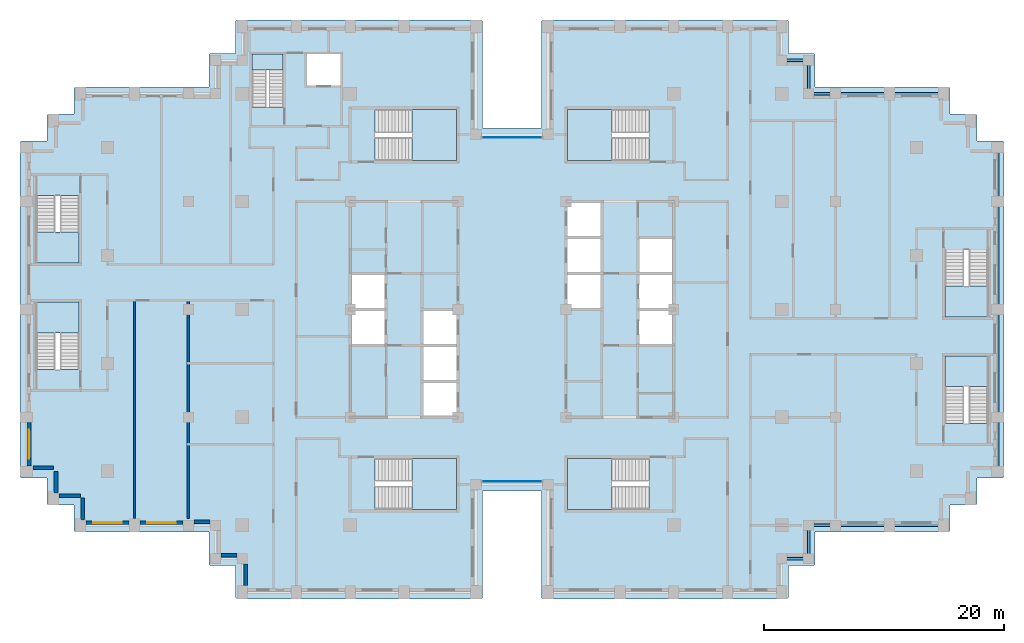
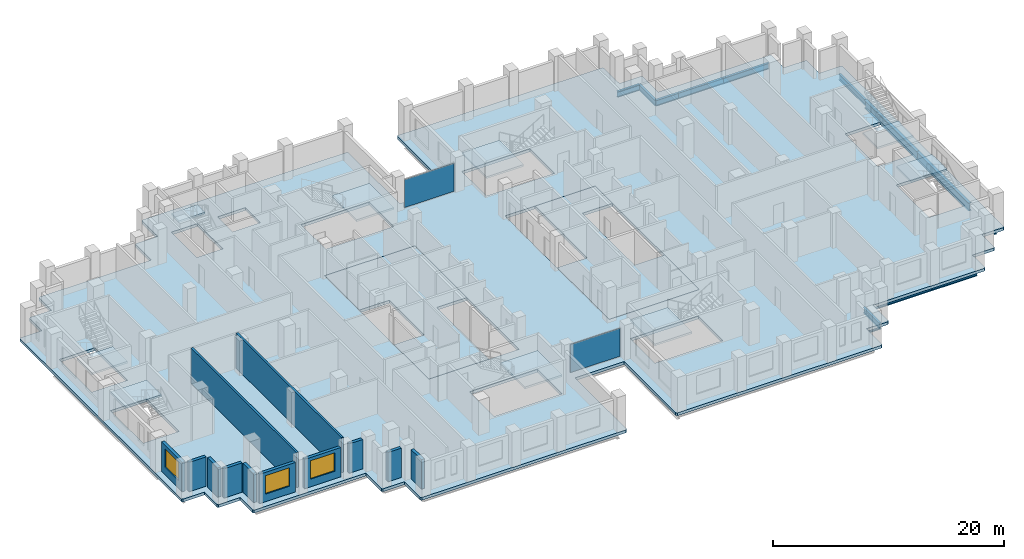
# One storey, part 5 of 16: 14 beams, 12 slabs, 12 walls, 3 windows, 2 plates, 3 openings, 11 elements without a shape of their own.
"""IFC4 building model written with IfcOpenShell, lengths in metres."""

from ifc_helpers import new_model, si_unit, direction, frame, frame_2d, origin, origin_2d, place, context, subcontext, project, spatial, polyline, rectangle, i_section, outline, extrude, material, layer, layer_set, material_profile, profile_set, type_object, element, fill, aggregate, save


model = new_model("IFC4")

# Units and contexts
model_context = context("Model", 3, precision=1e-05, world=origin(), true_north=direction((0.0, 1.0)))
body_context = subcontext(model_context, "Body", "Model", "MODEL_VIEW")
ifc_project = project(units=[si_unit("LENGTHUNIT", "METRE"), si_unit("AREAUNIT", "SQUARE_METRE"), si_unit("VOLUMEUNIT", "CUBIC_METRE"), si_unit("PLANEANGLEUNIT", "RADIAN"), si_unit("MASSUNIT", "GRAM", prefix="KILO")], contexts=[model_context])

# Site, building, storey
site_placement = place(None, origin())
site = spatial("IfcSite", under=ifc_project, at=site_placement, CompositionType="ELEMENT")
building_placement = place(site_placement, origin())
building = spatial("IfcBuilding", under=site, at=building_placement, Name="Corbelhall Arena Tower", CompositionType="ELEMENT")
storey_placement = place(building_placement, frame((0.0, 0.0, 158.0)))
storey = spatial("IfcBuildingStorey", under=building, at=storey_placement, Name="L31", CompositionType="ELEMENT", Elevation=158.0)

# Beams
ifc_material_1 = material(Name="Steel ASTM A992 Gr50", Category="steel")
ifc_material_profile_1 = material_profile(ifc_material_1, i_section(OverallWidth=0.22900390625, OverallDepth=0.612060546875, WebThickness=0.011962890625, FlangeThickness=0.01953125, at=origin_2d()))
ifc_profile_set_1 = profile_set([ifc_material_profile_1], Name="Steel ASTM A992 Gr50")
beam_type_1 = type_object("IfcBeamType", Name="ST-SPANDREL-W24x84", PredefinedType="SPANDREL", material=ifc_profile_set_1)
for number, where, z_axis, x_axis, name in (
    (1, (40.5, 13.5, -0.60595703125), (0.0, -1.0, 0.0), (1.0, 0.0, 0.0), "Beam SP 10"),
    (2, (40.5, -9.0, -0.60595703125), (0.0, -1.0, 0.0), (1.0, 0.0, 0.0), "Beam SP 11"),
    (3, (31.5, 18.0, -0.60595703125), (1.0, 0.0, 0.0), (0.0, 1.0, 0.0), "Beam SP 12"),
    (4, (31.5, -18.0, -0.60595703125), (-1.0, 0.0, 0.0), (0.0, -1.0, 0.0), "Beam SP 13"),
    (5, (36.0, -18.0, -0.60595703125), (-1.0, 0.0, 0.0), (0.0, -1.0, 0.0), "Beam SP 14"),
    (6, (27.0, 18.0, -0.60595703125), (1.0, 0.0, 0.0), (0.0, 1.0, 0.0), "Beam SP 15"),
):
    element("IfcBeam", number, at=place(storey_placement, frame(where, z_axis=z_axis, x_axis=x_axis)), inside=storey, type_object=beam_type_1, Name=name, PredefinedType="SPANDREL", context=body_context, shape_type="SweptSolid", body=[
        extrude(i_section(OverallWidth=0.22900390625, OverallDepth=0.612060546875, WebThickness=0.011962890625, FlangeThickness=0.01953125, at=origin_2d()), origin(), (0.0, 0.0, 1.0), 4.5),
    ])
for number, where, z_axis, x_axis, name in (
    (7, (27.0, -18.0, -0.60595703125), (-1.0, 0.0, 0.0), (0.0, -1.0, 0.0), "Beam SP 16"),
    (8, (22.5, 20.800048828125, -0.60595703125), (1.0, 0.0, 0.0), (0.0, 1.0, 0.0), "Beam SP 43"),
):
    element("IfcBeam", number, at=place(storey_placement, frame(where, z_axis=z_axis, x_axis=x_axis)), inside=storey, type_object=beam_type_1, Name=name, PredefinedType="SPANDREL", context=body_context, shape_type="SweptSolid", body=[
        extrude(i_section(OverallWidth=0.22900390625, OverallDepth=0.612060546875, WebThickness=0.011962890625, FlangeThickness=0.01953125, at=origin_2d()), origin(), (0.0, 0.0, 1.0), 2.25),
    ])
beam_1_placement = place(storey_placement, frame((24.75, 20.800048828125, -0.60595703125), z_axis=(0.0, -1.0, 0.0), x_axis=(1.0, 0.0, 0.0)))
element("IfcBeam", 9, at=beam_1_placement, inside=storey, type_object=beam_type_1, Name="Beam SP 44", PredefinedType="SPANDREL", context=body_context, shape_type="SweptSolid", body=[
    extrude(i_section(OverallWidth=0.22900390625, OverallDepth=0.612060546875, WebThickness=0.011962890625, FlangeThickness=0.01953125, at=origin_2d()), origin(), (0.0, 0.0, 1.0), 2.800048828125),
])
for number, where, z_axis, x_axis, name in (
    (10, (24.75, 18.0, -0.60595703125), (1.0, 0.0, 0.0), (0.0, 1.0, 0.0), "Beam SP 45"),
    (11, (24.75, -20.800048828125, -0.60595703125), (-1.0, 0.0, 0.0), (0.0, -1.0, 0.0), "Beam SP 50"),
):
    element("IfcBeam", number, at=place(storey_placement, frame(where, z_axis=z_axis, x_axis=x_axis)), inside=storey, type_object=beam_type_1, Name=name, PredefinedType="SPANDREL", context=body_context, shape_type="SweptSolid", body=[
        extrude(i_section(OverallWidth=0.22900390625, OverallDepth=0.612060546875, WebThickness=0.011962890625, FlangeThickness=0.01953125, at=origin_2d()), origin(), (0.0, 0.0, 1.0), 2.25),
    ])
beam_2_placement = place(storey_placement, frame((24.75, -18.0, -0.60595703125), z_axis=(0.0, -1.0, 0.0), x_axis=(1.0, 0.0, 0.0)))
element("IfcBeam", 12, at=beam_2_placement, inside=storey, type_object=beam_type_1, Name="Beam SP 51", PredefinedType="SPANDREL", context=body_context, shape_type="SweptSolid", body=[
    extrude(i_section(OverallWidth=0.22900390625, OverallDepth=0.612060546875, WebThickness=0.011962890625, FlangeThickness=0.01953125, at=origin_2d()), origin(), (0.0, 0.0, 1.0), 2.800048828125),
])
ifc_material_profile_2 = material_profile(ifc_material_1, i_section(OverallWidth=0.2919921875, OverallDepth=0.845703125, WebThickness=0.015380859375, FlangeThickness=0.0244140625, at=origin_2d()))
ifc_profile_set_2 = profile_set([ifc_material_profile_2], Name="Steel ASTM A992 Gr50")
beam_type_2 = type_object("IfcBeamType", Name="ST-SPANDREL-W33x141", PredefinedType="SPANDREL", material=ifc_profile_set_2)
for number, where, z_axis, x_axis, name in (
    (13, (40.5, 0.0, -0.722900390625), (0.0, -1.0, 0.0), (1.0, 0.0, 0.0), "Beam SP 8"),
    (14, (40.5, 9.0, -0.722900390625), (0.0, -1.0, 0.0), (1.0, 0.0, 0.0), "Beam SP 9"),
):
    element("IfcBeam", number, at=place(storey_placement, frame(where, z_axis=z_axis, x_axis=x_axis)), inside=storey, type_object=beam_type_2, Name=name, PredefinedType="SPANDREL", context=body_context, shape_type="SweptSolid", body=[
        extrude(i_section(OverallWidth=0.2919921875, OverallDepth=0.845703125, WebThickness=0.015380859375, FlangeThickness=0.0244140625, at=origin_2d()), origin(), (0.0, 0.0, 1.0), 9.0),
    ])

# Curtain wall, plate
ifc_material_2 = material(Name="Aluminium black anodised", Category="aluminium")
ifc_layer_1 = layer(ifc_material_2, 0.199951171875)
ifc_layer_set_1 = layer_set([ifc_layer_1], Name="EV-CW1 Slot back wall")
curtain_wall_type = type_object("IfcCurtainWallType", Name="EV-CW1 Slot back wall", PredefinedType="NOTDEFINED", material=ifc_layer_set_1)
curtain_wall_1_placement = place(storey_placement, origin())
curtain_wall_1 = element("IfcCurtainWall", 15, at=curtain_wall_1_placement, inside=storey, type_object=curtain_wall_type, Name="Curtain wall CW1", PredefinedType="NOTDEFINED")
ifc_material_3 = material(Name="Glass dark tinted laminated", Category="glass")
ifc_layer_2 = layer(ifc_material_3, 0.028076171875)
ifc_layer_set_2 = layer_set([ifc_layer_2], Name="EV-CW1-PANEL")
plate_type = type_object("IfcPlateType", Name="EV-CW1-PANEL", PredefinedType="CURTAIN_PANEL", material=ifc_layer_set_2)
plate_1_placement = place(storey_placement, frame((0.0, -14.35009765625, 0.0751953125), z_axis=(0.0, 0.0, 1.0), x_axis=(1.0, 0.0, 0.0)))
plate_1 = element("IfcPlate", 16, at=plate_1_placement, type_object=plate_type, Name="CW1 panel 1.1", PredefinedType="CURTAIN_PANEL", context=body_context, shape_type="SweptSolid", body=[
    extrude(rectangle(XDim=4.949951171875, YDim=0.028076171875, at=origin_2d()), origin(), (0.0, 0.0, 1.0), 2.949951171875),
])
aggregate(curtain_wall_1, [plate_1])

curtain_wall_2_placement = place(storey_placement, origin())
curtain_wall_2 = element("IfcCurtainWall", 17, at=curtain_wall_2_placement, inside=storey, type_object=curtain_wall_type, Name="Curtain wall CW1", PredefinedType="NOTDEFINED")
plate_2_placement = place(storey_placement, frame((0.0, 14.35009765625, 0.0751953125), z_axis=(0.0, 0.0, 1.0), x_axis=(-1.0, 0.0, 0.0)))
plate_2 = element("IfcPlate", 18, at=plate_2_placement, type_object=plate_type, Name="CW1 panel 1.1", PredefinedType="CURTAIN_PANEL", context=body_context, shape_type="SweptSolid", body=[
    extrude(rectangle(XDim=4.949951171875, YDim=0.028076171875, at=origin_2d()), origin(), (0.0, 0.0, 1.0), 2.949951171875),
])
aggregate(curtain_wall_2, [plate_2])

# Slabs
ifc_material_4 = material(Name="Concrete C40/50", Category="concrete")
ifc_layer_3 = layer(ifc_material_4, 0.300048828125)
ifc_layer_set_3 = layer_set([ifc_layer_3], Name="IN-SL-CORE")
slab_type_1 = type_object("IfcSlabType", Name="IN-SL-CORE", PredefinedType="FLOOR", material=ifc_layer_set_3)
slab_1_placement = place(storey_placement, frame((0.0, 0.0, -0.300048828125)))
element("IfcSlab", 19, at=slab_1_placement, inside=storey, type_object=slab_type_1, Name="Core floor W", PredefinedType="FLOOR", context=body_context, shape_type="SweptSolid", body=[
    extrude(outline(polyline([(-7.5, 0.0), (-4.5, 0.0), (-4.5, 9.0), (-13.5, 9.0), (-13.5, 3.0), (-10.5, 3.0), (-10.5, 0.0), (-10.5, -3.0), (-13.5, -3.0), (-13.5, -9.0), (-7.5, -9.0), (-7.5, -6.0), (-7.5, -3.0), (-7.5, 0.0)])), origin(), (0.0, 0.0, 1.0), 0.300048828125),
])
slab_2_placement = place(storey_placement, frame((0.0, 0.0, -0.300048828125)))
element("IfcSlab", 20, at=slab_2_placement, inside=storey, type_object=slab_type_1, Name="Core floor E", PredefinedType="FLOOR", context=body_context, shape_type="SweptSolid", body=[
    extrude(outline(polyline([(7.5, 0.0), (4.5, 0.0), (4.5, -9.0), (13.5, -9.0), (13.5, -3.0), (10.5, -3.0), (10.5, 0.0), (10.5, 3.0), (10.5, 6.0), (13.5, 6.0), (13.5, 9.0), (7.5, 9.0), (7.5, 6.0), (7.5, 3.0), (7.5, 0.0)])), origin(), (0.0, 0.0, 1.0), 0.300048828125),
])

# Stair, slab
stair_type = type_object("IfcStairType", Name="IN-ST-TOWER", PredefinedType="HALF_TURN_STAIR", material=ifc_material_4)
stair_1_placement = place(storey_placement, origin())
stair_1 = element("IfcStair", 21, at=stair_1_placement, inside=storey, type_object=stair_type, Name="L31 Exit stair ST1", PredefinedType="HALF_TURN_STAIR")
ifc_layer_4 = layer(ifc_material_4, 0.199951171875)
ifc_layer_set_4 = layer_set([ifc_layer_4], Name="IN-SL-LANDING")
slab_type_2 = type_object("IfcSlabType", Name="IN-SL-LANDING", PredefinedType="LANDING", material=ifc_layer_set_4)
slab_3_placement = place(storey_placement, frame((0.0, 0.0, 1.800048828125)))
slab_3 = element("IfcSlab", 22, at=slab_3_placement, type_object=slab_type_2, Name="ST1 landing 1", PredefinedType="LANDING", context=body_context, shape_type="SweptSolid", body=[
    extrude(outline(polyline([(-8.344970703125, 12.425048828125), (-4.625, 12.425048828125), (-4.625, 16.675048828125), (-8.344970703125, 16.675048828125), (-8.344970703125, 12.425048828125)])), origin(), (0.0, 0.0, 1.0), 0.199951171875),
])
aggregate(stair_1, [slab_3])

stair_2_placement = place(storey_placement, origin())
stair_2 = element("IfcStair", 23, at=stair_2_placement, inside=storey, type_object=stair_type, Name="L31 Exit stair ST2", PredefinedType="HALF_TURN_STAIR")
slab_4_placement = place(storey_placement, frame((0.0, 0.0, 1.800048828125)))
slab_4 = element("IfcSlab", 24, at=slab_4_placement, type_object=slab_type_2, Name="ST2 landing 1", PredefinedType="LANDING", context=body_context, shape_type="SweptSolid", body=[
    extrude(outline(polyline([(-8.344970703125, -16.675048828125), (-4.625, -16.675048828125), (-4.625, -12.425048828125), (-8.344970703125, -12.425048828125), (-8.344970703125, -16.675048828125)])), origin(), (0.0, 0.0, 1.0), 0.199951171875),
])
aggregate(stair_2, [slab_4])

stair_3_placement = place(storey_placement, origin())
stair_3 = element("IfcStair", 25, at=stair_3_placement, inside=storey, type_object=stair_type, Name="L31 Exit stair ST3", PredefinedType="HALF_TURN_STAIR")
slab_5_placement = place(storey_placement, frame((0.0, 0.0, 1.800048828125)))
slab_5 = element("IfcSlab", 26, at=slab_5_placement, type_object=slab_type_2, Name="ST3 landing 1", PredefinedType="LANDING", context=body_context, shape_type="SweptSolid", body=[
    extrude(outline(polyline([(8.344970703125, 16.675048828125), (4.625, 16.675048828125), (4.625, 12.425048828125), (8.344970703125, 12.425048828125), (8.344970703125, 16.675048828125)])), origin(), (0.0, 0.0, 1.0), 0.199951171875),
])
aggregate(stair_3, [slab_5])

stair_4_placement = place(storey_placement, origin())
stair_4 = element("IfcStair", 27, at=stair_4_placement, inside=storey, type_object=stair_type, Name="L31 Exit stair ST4", PredefinedType="HALF_TURN_STAIR")
slab_6_placement = place(storey_placement, frame((0.0, 0.0, 1.800048828125)))
slab_6 = element("IfcSlab", 28, at=slab_6_placement, type_object=slab_type_2, Name="ST4 landing 1", PredefinedType="LANDING", context=body_context, shape_type="SweptSolid", body=[
    extrude(outline(polyline([(8.344970703125, -12.425048828125), (4.625, -12.425048828125), (4.625, -16.675048828125), (8.344970703125, -16.675048828125), (8.344970703125, -12.425048828125)])), origin(), (0.0, 0.0, 1.0), 0.199951171875),
])
aggregate(stair_4, [slab_6])

stair_5_placement = place(storey_placement, origin())
stair_5 = element("IfcStair", 29, at=stair_5_placement, inside=storey, type_object=stair_type, Name="L31 Exit stair SC1", PredefinedType="HALF_TURN_STAIR")
slab_7_placement = place(storey_placement, frame((0.0, 0.0, 1.800048828125)))
slab_7 = element("IfcSlab", 30, at=slab_7_placement, type_object=slab_type_2, Name="SC1 landing 1", PredefinedType="LANDING", context=body_context, shape_type="SweptSolid", body=[
    extrude(outline(polyline([(-39.699951171875, 6.445068359375), (-39.699951171875, 3.875), (-36.125, 3.875), (-36.125, 6.445068359375), (-39.699951171875, 6.445068359375)])), origin(), (0.0, 0.0, 1.0), 0.199951171875),
])
aggregate(stair_5, [slab_7])

stair_6_placement = place(storey_placement, origin())
stair_6 = element("IfcStair", 31, at=stair_6_placement, inside=storey, type_object=stair_type, Name="L31 Exit stair SC2", PredefinedType="HALF_TURN_STAIR")
slab_8_placement = place(storey_placement, frame((0.0, 0.0, 1.800048828125)))
slab_8 = element("IfcSlab", 32, at=slab_8_placement, type_object=slab_type_2, Name="SC2 landing 1", PredefinedType="LANDING", context=body_context, shape_type="SweptSolid", body=[
    extrude(outline(polyline([(-36.125, -1.945068359375), (-36.125, 0.625), (-39.699951171875, 0.625), (-39.699951171875, -1.945068359375), (-36.125, -1.945068359375)])), origin(), (0.0, 0.0, 1.0), 0.199951171875),
])
aggregate(stair_6, [slab_8])

stair_7_placement = place(storey_placement, origin())
stair_7 = element("IfcStair", 33, at=stair_7_placement, inside=storey, type_object=stair_type, Name="L31 Exit stair SD1", PredefinedType="HALF_TURN_STAIR")
slab_9_placement = place(storey_placement, frame((0.0, 0.0, 1.800048828125)))
slab_9 = element("IfcSlab", 34, at=slab_9_placement, type_object=slab_type_2, Name="SD1 landing 1", PredefinedType="LANDING", context=body_context, shape_type="SweptSolid", body=[
    extrude(outline(polyline([(39.699951171875, -6.445068359375), (39.699951171875, -3.875), (36.125, -3.875), (36.125, -6.445068359375), (39.699951171875, -6.445068359375)])), origin(), (0.0, 0.0, 1.0), 0.199951171875),
])
aggregate(stair_7, [slab_9])

stair_8_placement = place(storey_placement, origin())
stair_8 = element("IfcStair", 35, at=stair_8_placement, inside=storey, type_object=stair_type, Name="L31 Exit stair SD2", PredefinedType="HALF_TURN_STAIR")
slab_10_placement = place(storey_placement, frame((0.0, 0.0, 1.800048828125)))
slab_10 = element("IfcSlab", 36, at=slab_10_placement, type_object=slab_type_2, Name="SD2 landing 1", PredefinedType="LANDING", context=body_context, shape_type="SweptSolid", body=[
    extrude(outline(polyline([(36.125, 1.945068359375), (36.125, -0.625), (39.699951171875, -0.625), (39.699951171875, 1.945068359375), (36.125, 1.945068359375)])), origin(), (0.0, 0.0, 1.0), 0.199951171875),
])
aggregate(stair_8, [slab_10])

stair_9_placement = place(storey_placement, origin())
stair_9 = element("IfcStair", 37, at=stair_9_placement, inside=storey, type_object=stair_type, Name="L31 Exit stair ST5", PredefinedType="HALF_TURN_STAIR")
slab_11_placement = place(storey_placement, frame((0.0, 0.0, 1.800048828125)))
slab_11 = element("IfcSlab", 38, at=slab_11_placement, type_object=slab_type_2, Name="ST5 landing 1", PredefinedType="LANDING", context=body_context, shape_type="SweptSolid", body=[
    extrude(outline(polyline([(-19.094970703125, 19.97998046875), (-19.094970703125, 21.300048828125), (-21.695068359375, 21.300048828125), (-21.695068359375, 19.97998046875), (-19.094970703125, 19.97998046875)])), origin(), (0.0, 0.0, 1.0), 0.199951171875),
])
aggregate(stair_9, [slab_11])

# Slab
ifc_layer_5 = layer(ifc_material_4, 0.300048828125)
ifc_layer_set_5 = layer_set([ifc_layer_5], Name="ST-SLAB-FLOOR-300")
slab_type_3 = type_object("IfcSlabType", Name="ST-SLAB-FLOOR-300", PredefinedType="FLOOR", material=ifc_layer_set_5)
slab_12_placement = place(storey_placement, frame((0.0, 0.0, -0.300048828125)))
element("IfcSlab", 39, at=slab_12_placement, inside=storey, type_object=slab_type_3, Name="Floor slab L31 1", PredefinedType="FLOOR", context=body_context, shape_type="SweptSolid", body=[
    extrude(outline(polyline([(25.300048828125, 18.550048828125), (25.300048828125, 21.25), (25.199951171875, 21.35009765625), (23.050048828125, 21.35009765625), (23.050048828125, 24.050048828125), (22.949951171875, 24.14990234375), (2.550048828125, 24.14990234375), (2.449951171875, 24.050048828125), (2.449951171875, 15.14990234375), (-2.449951171875, 15.14990234375), (-2.449951171875, 24.050048828125), (-2.550048828125, 24.14990234375), (-22.949951171875, 24.14990234375), (-23.050048828125, 24.050048828125), (-23.050048828125, 21.35009765625), (-25.199951171875, 21.35009765625), (-25.300048828125, 21.25), (-25.300048828125, 18.550048828125), (-36.449951171875, 18.550048828125), (-36.550048828125, 18.449951171875), (-36.550048828125, 16.300048828125), (-38.699951171875, 16.300048828125), (-38.800048828125, 16.199951171875), (-38.800048828125, 14.050048828125), (-40.949951171875, 14.050048828125), (-41.050048828125, 13.949951171875), (-41.050048828125, -13.949951171875), (-40.949951171875, -14.050048828125), (-38.800048828125, -14.050048828125), (-38.800048828125, -16.199951171875), (-38.699951171875, -16.300048828125), (-36.550048828125, -16.300048828125), (-36.550048828125, -18.449951171875), (-36.449951171875, -18.550048828125), (-25.300048828125, -18.550048828125), (-25.300048828125, -21.25), (-25.199951171875, -21.35009765625), (-23.050048828125, -21.35009765625), (-23.050048828125, -24.050048828125), (-22.949951171875, -24.14990234375), (-2.550048828125, -24.14990234375), (-2.449951171875, -24.050048828125), (-2.449951171875, -15.14990234375), (2.449951171875, -15.14990234375), (2.449951171875, -24.050048828125), (2.550048828125, -24.14990234375), (22.949951171875, -24.14990234375), (23.050048828125, -24.050048828125), (23.050048828125, -21.35009765625), (25.199951171875, -21.35009765625), (25.300048828125, -21.25), (25.300048828125, -18.550048828125), (36.449951171875, -18.550048828125), (36.550048828125, -18.449951171875), (36.550048828125, -16.300048828125), (38.699951171875, -16.300048828125), (38.800048828125, -16.199951171875), (38.800048828125, -14.050048828125), (40.949951171875, -14.050048828125), (41.050048828125, -13.949951171875), (41.050048828125, 13.949951171875), (40.949951171875, 14.050048828125), (38.800048828125, 14.050048828125), (38.800048828125, 16.199951171875), (38.699951171875, 16.300048828125), (36.550048828125, 16.300048828125), (36.550048828125, 18.449951171875), (36.449951171875, 18.550048828125), (25.300048828125, 18.550048828125)]), holes=[polyline([(-13.5, 9.0), (-13.5, -9.0), (-4.5, -9.0), (-4.5, 9.0), (-13.5, 9.0)]), polyline([(4.5, 9.0), (4.5, -9.0), (13.5, -9.0), (13.5, 9.0), (4.5, 9.0)]), polyline([(-4.625, 16.675048828125), (-11.422119140625, 16.675048828125), (-11.422119140625, 12.425048828125), (-4.625, 12.425048828125), (-4.625, 16.675048828125)]), polyline([(-4.625, -16.675048828125), (-4.625, -12.425048828125), (-11.422119140625, -12.425048828125), (-11.422119140625, -16.675048828125), (-4.625, -16.675048828125)]), polyline([(11.422119140625, 16.675048828125), (4.625, 16.675048828125), (4.625, 12.425048828125), (11.422119140625, 12.425048828125), (11.422119140625, 16.675048828125)]), polyline([(11.422119140625, -16.675048828125), (11.422119140625, -12.425048828125), (4.625, -12.425048828125), (4.625, -16.675048828125), (11.422119140625, -16.675048828125)]), polyline([(-36.125, 3.875), (-36.125, 9.52197265625), (-39.699951171875, 9.52197265625), (-39.699951171875, 3.875), (-36.125, 3.875)]), polyline([(-36.125, 0.625), (-39.699951171875, 0.625), (-39.699951171875, -5.02197265625), (-36.125, -5.02197265625), (-36.125, 0.625)]), polyline([(39.699951171875, -9.52197265625), (39.699951171875, -3.875), (36.125, -3.875), (36.125, -9.52197265625), (39.699951171875, -9.52197265625)]), polyline([(39.699951171875, 5.02197265625), (36.125, 5.02197265625), (36.125, -0.625), (39.699951171875, -0.625), (39.699951171875, 5.02197265625)]), polyline([(-21.695068359375, 21.300048828125), (-21.695068359375, 16.903076171875), (-19.094970703125, 16.903076171875), (-19.094970703125, 21.300048828125), (-21.695068359375, 21.300048828125)]), polyline([(-14.300048828125, 21.300048828125), (-17.10009765625, 21.300048828125), (-17.10009765625, 18.699951171875), (-14.300048828125, 18.699951171875), (-14.300048828125, 21.300048828125)])]), origin(), (0.0, 0.0, 1.0), 0.300048828125),
])

# Walls
ifc_material_5 = material(Name="Precast concrete C40/50 with granite facing", Category="masonry")
ifc_layer_6 = layer(ifc_material_5, 0.300048828125)
ifc_layer_set_6 = layer_set([ifc_layer_6], Name="EV-IW1 Infill panel 300")
wall_type_1 = type_object("IfcWallType", Name="EV-IW1 Infill panel 300", PredefinedType="SOLIDWALL", material=ifc_layer_set_6)
wall_1_placement = place(storey_placement, frame((-39.949951171875, -13.199951171875, 0.0), z_axis=(0.0, 0.0, 1.0), x_axis=(1.0, 0.0, 0.0)))
element("IfcWall", 40, at=wall_1_placement, inside=storey, type_object=wall_type_1, Name="Infill panel IW1", PredefinedType="SOLIDWALL", context=body_context, shape_type="SweptSolid", body=[
    extrude(rectangle(XDim=1.699951171875, YDim=0.300048828125, at=frame_2d((0.85009765625, 0.0))), origin(), (0.0, 0.0, 1.0), 3.10009765625),
])
for number, where, z_axis, x_axis, name in (
    (41, (-38.050048828125, -15.300048828125, 0.0), (0.0, 0.0, 1.0), (0.0, 1.0, 0.0), "Infill panel IW1"),
    (42, (-37.800048828125, -15.550048828125, 0.0), (0.0, 0.0, 1.0), (1.0, 0.0, 0.0), "Infill panel IW1"),
    (43, (-35.800048828125, -17.550048828125, 0.0), (0.0, 0.0, 1.0), (0.0, 1.0, 0.0), "Infill panel IW1"),
):
    element("IfcWall", number, at=place(storey_placement, frame(where, z_axis=z_axis, x_axis=x_axis)), inside=storey, type_object=wall_type_1, Name=name, PredefinedType="SOLIDWALL", context=body_context, shape_type="SweptSolid", body=[
        extrude(rectangle(XDim=1.800048828125, YDim=0.300048828125, at=frame_2d((0.89990234375, 0.0))), origin(), (0.0, 0.0, 1.0), 3.10009765625),
    ])

# Wall, opening, window
wall_2_placement = place(storey_placement, frame((-40.300048828125, -9.449951171875, 0.0), z_axis=(0.0, 0.0, 1.0), x_axis=(0.0, -1.0, 0.0)))
wall_2 = element("IfcWall", 44, at=wall_2_placement, inside=storey, type_object=wall_type_1, Name="Infill panel IW1", PredefinedType="SOLIDWALL", context=body_context, shape_type="SweptSolid", body=[
    extrude(rectangle(XDim=3.60009765625, YDim=0.300048828125, at=frame_2d((1.800048828125, 0.0))), origin(), (0.0, 0.0, 1.0), 3.10009765625),
])
opening_1_placement = place(wall_2_placement, frame((0.60009765625, 0.0, 0.800048828125)))
opening_1 = element("IfcOpeningElement", 45, at=opening_1_placement, cuts=wall_2, Name="Opening WN1", PredefinedType="OPENING", context=body_context, shape_type="SweptSolid", body=[
    extrude(rectangle(XDim=2.39990234375, YDim=1.949951171875, at=frame_2d((1.199951171875, 0.97509765625))), frame((0.0, 0.14990234375, 0.0), z_axis=(0.0, -1.0, 0.0), x_axis=(1.0, 0.0, 0.0)), (0.0, 0.0, 1.0), 0.300048828125),
])
window_type = type_object("IfcWindowType", Name="EV-WN1 Office window", PartitioningType="SINGLE_PANEL", PredefinedType="WINDOW", material=ifc_material_2)
window_1_placement = place(opening_1_placement, origin())
window_1 = element("IfcWindow", 46, at=window_1_placement, inside=storey, type_object=window_type, Name="Window WN1", OverallHeight=1.949951171875, OverallWidth=2.39990234375, PartitioningType="SINGLE_PANEL", PredefinedType="WINDOW", context=body_context, shape_type="SweptSolid", body=[
    extrude(rectangle(XDim=2.39990234375, YDim=1.949951171875, at=frame_2d((1.199951171875, 0.97509765625))), frame((0.0, 0.030029296875, 0.0), z_axis=(0.0, -1.0, 0.0), x_axis=(1.0, 0.0, 0.0)), (0.0, 0.0, 1.0), 0.06005859375),
])
fill(opening_1, window_1)

wall_3_placement = place(storey_placement, frame((-35.550048828125, -17.800048828125, 0.0), z_axis=(0.0, 0.0, 1.0), x_axis=(1.0, 0.0, 0.0)))
wall_3 = element("IfcWall", 47, at=wall_3_placement, inside=storey, type_object=wall_type_1, Name="Infill panel IW1", PredefinedType="SOLIDWALL", context=body_context, shape_type="SweptSolid", body=[
    extrude(rectangle(XDim=3.60009765625, YDim=0.300048828125, at=frame_2d((1.800048828125, 0.0))), origin(), (0.0, 0.0, 1.0), 3.10009765625),
])
opening_2_placement = place(wall_3_placement, frame((0.60009765625, 0.0, 0.800048828125)))
opening_2 = element("IfcOpeningElement", 48, at=opening_2_placement, cuts=wall_3, Name="Opening WN1", PredefinedType="OPENING", context=body_context, shape_type="SweptSolid", body=[
    extrude(rectangle(XDim=2.39990234375, YDim=1.949951171875, at=frame_2d((1.199951171875, 0.97509765625))), frame((0.0, 0.14990234375, 0.0), z_axis=(0.0, -1.0, 0.0), x_axis=(1.0, 0.0, 0.0)), (0.0, 0.0, 1.0), 0.300048828125),
])
window_2_placement = place(opening_2_placement, origin())
window_2 = element("IfcWindow", 49, at=window_2_placement, inside=storey, type_object=window_type, Name="Window WN1", OverallHeight=1.949951171875, OverallWidth=2.39990234375, PartitioningType="SINGLE_PANEL", PredefinedType="WINDOW", context=body_context, shape_type="SweptSolid", body=[
    extrude(rectangle(XDim=2.39990234375, YDim=1.949951171875, at=frame_2d((1.199951171875, 0.97509765625))), frame((0.0, 0.030029296875, 0.0), z_axis=(0.0, -1.0, 0.0), x_axis=(1.0, 0.0, 0.0)), (0.0, 0.0, 1.0), 0.06005859375),
])
fill(opening_2, window_2)

wall_4_placement = place(storey_placement, frame((-31.050048828125, -17.800048828125, 0.0), z_axis=(0.0, 0.0, 1.0), x_axis=(1.0, 0.0, 0.0)))
wall_4 = element("IfcWall", 50, at=wall_4_placement, inside=storey, type_object=wall_type_1, Name="Infill panel IW1", PredefinedType="SOLIDWALL", context=body_context, shape_type="SweptSolid", body=[
    extrude(rectangle(XDim=3.60009765625, YDim=0.300048828125, at=frame_2d((1.800048828125, 0.0))), origin(), (0.0, 0.0, 1.0), 3.10009765625),
])
opening_3_placement = place(wall_4_placement, frame((0.60009765625, 0.0, 0.800048828125)))
opening_3 = element("IfcOpeningElement", 51, at=opening_3_placement, cuts=wall_4, Name="Opening WN1", PredefinedType="OPENING", context=body_context, shape_type="SweptSolid", body=[
    extrude(rectangle(XDim=2.39990234375, YDim=1.949951171875, at=frame_2d((1.199951171875, 0.97509765625))), frame((0.0, 0.14990234375, 0.0), z_axis=(0.0, -1.0, 0.0), x_axis=(1.0, 0.0, 0.0)), (0.0, 0.0, 1.0), 0.300048828125),
])
window_3_placement = place(opening_3_placement, origin())
window_3 = element("IfcWindow", 52, at=window_3_placement, inside=storey, type_object=window_type, Name="Window WN1", OverallHeight=1.949951171875, OverallWidth=2.39990234375, PartitioningType="SINGLE_PANEL", PredefinedType="WINDOW", context=body_context, shape_type="SweptSolid", body=[
    extrude(rectangle(XDim=2.39990234375, YDim=1.949951171875, at=frame_2d((1.199951171875, 0.97509765625))), frame((0.0, 0.030029296875, 0.0), z_axis=(0.0, -1.0, 0.0), x_axis=(1.0, 0.0, 0.0)), (0.0, 0.0, 1.0), 0.06005859375),
])
fill(opening_3, window_3)

# Walls
for number, where, z_axis, x_axis, name in (
    (53, (-26.550048828125, -17.699951171875, 0.0), (0.0, 0.0, 1.0), (1.0, 0.0, 0.0), "Infill panel IW1"),
    (54, (-24.300048828125, -20.5, 0.0), (0.0, 0.0, 1.0), (1.0, 0.0, 0.0), "Infill panel IW1"),
):
    element("IfcWall", number, at=place(storey_placement, frame(where, z_axis=z_axis, x_axis=x_axis)), inside=storey, type_object=wall_type_1, Name=name, PredefinedType="SOLIDWALL", context=body_context, shape_type="SweptSolid", body=[
        extrude(rectangle(XDim=1.35009765625, YDim=0.300048828125, at=frame_2d((0.675048828125, 0.0))), origin(), (0.0, 0.0, 1.0), 3.10009765625),
    ])
wall_5_placement = place(storey_placement, frame((-22.199951171875, -21.25, 0.0), z_axis=(0.0, 0.0, 1.0), x_axis=(0.0, -1.0, 0.0)))
element("IfcWall", 55, at=wall_5_placement, inside=storey, type_object=wall_type_1, Name="Infill panel IW1", PredefinedType="SOLIDWALL", context=body_context, shape_type="SweptSolid", body=[
    extrude(rectangle(XDim=1.800048828125, YDim=0.300048828125, at=frame_2d((0.89990234375, 0.0))), origin(), (0.0, 0.0, 1.0), 3.10009765625),
])
ifc_material_6 = material(Name="Gypsum board on steel stud, acoustic", Category="steel")
ifc_layer_7 = layer(ifc_material_6, 0.199951171875)
ifc_layer_set_7 = layer_set([ifc_layer_7], Name="IN-W-DM200")
wall_type_2 = type_object("IfcWallType", Name="IN-W-DM200", PredefinedType="PARTITIONING", material=ifc_layer_set_7)
for number, where, z_axis, x_axis, name in (
    (56, (-31.5, 0.75, 0.0), (0.0, 0.0, 1.0), (0.0, -1.0, 0.0), "Partition 006"),
    (57, (-27.0, -17.449951171875, 0.0), (0.0, 0.0, 1.0), (0.0, 1.0, 0.0), "Partition 011"),
):
    element("IfcWall", number, at=place(storey_placement, frame(where, z_axis=z_axis, x_axis=x_axis)), inside=storey, type_object=wall_type_2, Name=name, PredefinedType="PARTITIONING", context=body_context, shape_type="SweptSolid", body=[
        extrude(rectangle(XDim=18.199951171875, YDim=0.199951171875, at=frame_2d((9.10009765625, 0.0))), origin(), (0.0, 0.0, 1.0), 3.699951171875),
    ])

save(model, "model.ifc")
